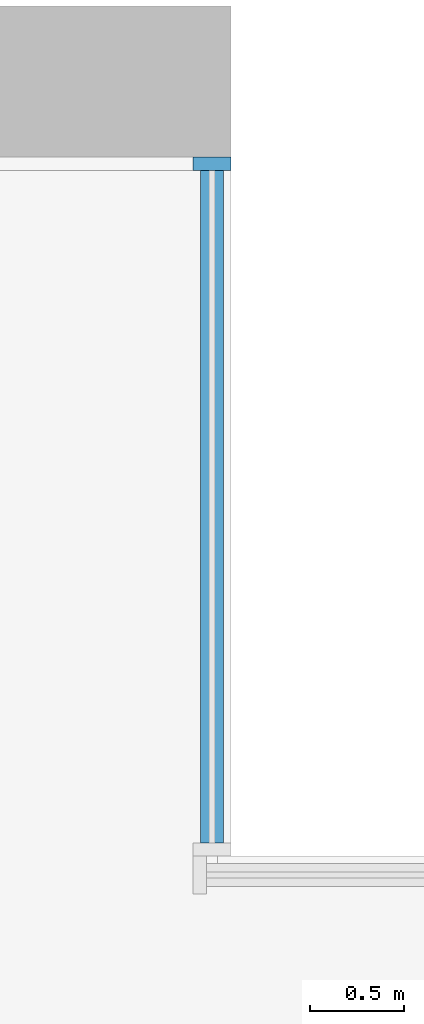
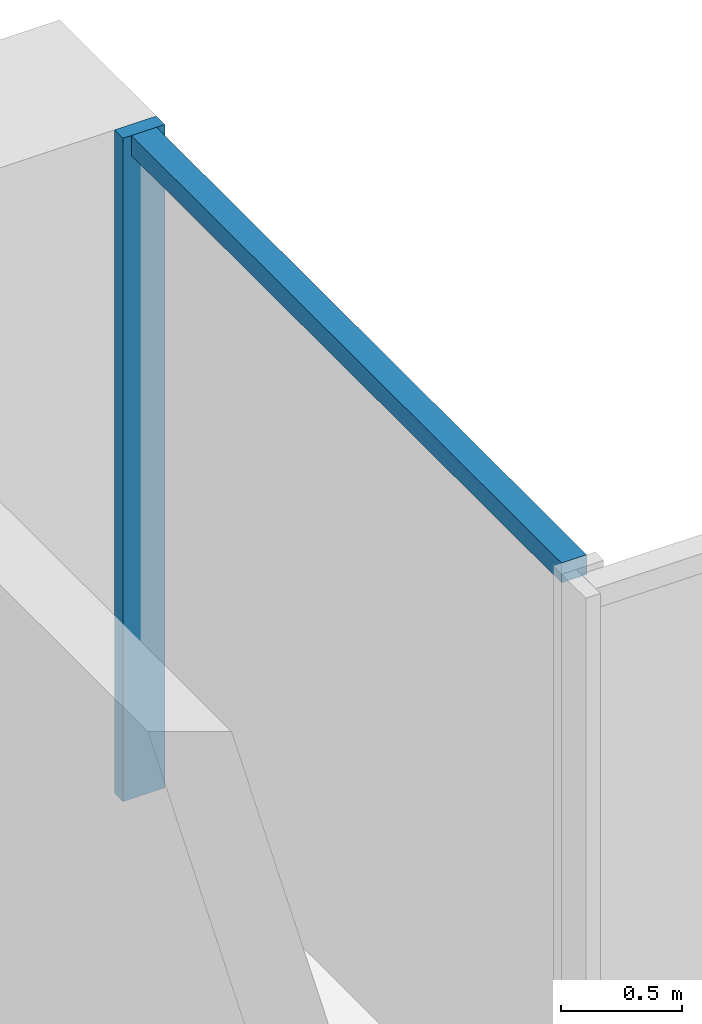
# One storey, part 6 of 16: 2 members, 1 element without a shape of its own.
"""IFC4 building model written with IfcOpenShell, lengths in metres."""

import ifcopenshell
import ifcopenshell.guid

model = None  # the IFC model being written
_history = None  # IfcOwnerHistory: only IFC2X3 demands one
_inside = {}  # id of a spatial element -> (the spatial element, [elements in it])
_under = {}  # id of a project, library or spatial element -> (it, [spatial elements below it])
_declared = {}  # id of a project -> (the project, [libraries it declares])
_typed = {}  # id of a type object -> (the type object, [elements of that type])
_made_of = {}  # id of a material, layer set ... -> (it, [elements and type objects made of it])


def new_model(schema):
    """Start an empty IFC model of exactly this schema.

    Asked for "IFC4X3", IfcOpenShell would pick the latest addendum, in which some entities
    have other attributes; the version numbers below select the first issue.
    IFC2X3 requires an IfcOwnerHistory on every rooted entity: one is made here for all.
    """
    global model, _history
    if schema == "IFC4X3":
        model = ifcopenshell.file(schema_version=(4, 3, 0, 0))
    else:
        model = ifcopenshell.file(schema=schema)
    _inside.clear()
    _under.clear()
    _declared.clear()
    _typed.clear()
    _made_of.clear()
    _history = None
    if model.schema == "IFC2X3":
        org = make("IfcOrganization", Name="unknown")
        user = make(
            "IfcPersonAndOrganization",
            ThePerson=make("IfcPerson", FamilyName="unknown"),
            TheOrganization=org,
        )
        app = make(
            "IfcApplication",
            ApplicationDeveloper=org,
            Version="unknown",
            ApplicationFullName="unknown",
            ApplicationIdentifier="unknown",
        )
        _history = make(
            "IfcOwnerHistory",
            OwningUser=user,
            OwningApplication=app,
            ChangeAction="ADDED",
            CreationDate=0,
        )
    return model


def make(cls, **values):
    """One entity of the class cls with the attributes given. An attribute that is None is left unset."""
    return model.create_entity(
        cls, **{name: value for name, value in values.items() if value is not None}
    )


def rooted(cls, **values):
    """An entity with a GlobalId (a new one), such as an element, a storey or a relation."""
    return make(cls, GlobalId=ifcopenshell.guid.new(), OwnerHistory=_history, **values)


def si_unit(unit_type, name, prefix=None):
    """IfcSIUnit, for example si_unit("LENGTHUNIT", "METRE", prefix="MILLI")."""
    return make("IfcSIUnit", UnitType=unit_type, Prefix=prefix, Name=name)


def assignment(units):
    """IfcUnitAssignment: the units of a project."""
    return None if units is None else make("IfcUnitAssignment", Units=units)


def point(xyz):
    """IfcCartesianPoint."""
    return None if xyz is None else make("IfcCartesianPoint", Coordinates=xyz)


def direction(xyz):
    """IfcDirection."""
    return None if xyz is None else make("IfcDirection", DirectionRatios=xyz)


def frame(location, z_axis=None, x_axis=None):
    """IfcAxis2Placement3D, a coordinate frame: its origin and axes. An axis left out is left unset."""
    return make(
        "IfcAxis2Placement3D",
        Location=point(location),
        Axis=direction(z_axis),
        RefDirection=direction(x_axis),
    )


def frame_2d(location, x_axis=None):
    """IfcAxis2Placement2D, a coordinate frame in the plane: its origin and x axis."""
    return make(
        "IfcAxis2Placement2D", Location=point(location), RefDirection=direction(x_axis)
    )


def origin():
    """The frame at (0, 0, 0) with its axes left unset."""
    return frame((0.0, 0.0, 0.0))


def origin_2d():
    """The frame at (0, 0) in the plane with its x axis left unset."""
    return frame_2d((0.0, 0.0))


def place(relative_to, where):
    """IfcLocalPlacement: puts the frame where relative to a parent placement (None: the world)."""
    return make(
        "IfcLocalPlacement", PlacementRelTo=relative_to, RelativePlacement=where
    )


def context(
    kind, dimensions, precision=None, world=None, true_north=None, identifier=None
):
    """IfcGeometricRepresentationContext, for example the 3D "Model" context."""
    return make(
        "IfcGeometricRepresentationContext",
        ContextIdentifier=identifier,
        ContextType=kind,
        CoordinateSpaceDimension=dimensions,
        Precision=precision,
        WorldCoordinateSystem=world,
        TrueNorth=true_north,
    )


def subcontext(parent, identifier, kind, view, scale=None):
    """IfcGeometricRepresentationSubContext, for example "Body" below "Model"."""
    return make(
        "IfcGeometricRepresentationSubContext",
        ContextIdentifier=identifier,
        ContextType=kind,
        ParentContext=parent,
        TargetScale=scale,
        TargetView=view,
    )


def project(units=None, contexts=None):
    """IfcProject with its units and contexts."""
    return rooted(
        "IfcProject",
        Name="project",
        RepresentationContexts=contexts,
        UnitsInContext=assignment(units),
    )


def spatial(cls, under=None, at=None, **own):
    """A site, building, storey or space (cls), placed at a placement, below another one or the project."""
    s = rooted(cls, ObjectPlacement=at, **own)
    if under is not None:
        _under.setdefault(under.id(), (under, []))[1].append(s)
    return s


def profile(cls, at=None, kind="AREA", **sizes):
    """A parametric profile (cls). Its sizes go by their IFC names, for example OverallWidth=200.0."""
    return make(cls, ProfileType=kind, Position=at, **sizes)


def rectangle(**sizes):
    """IfcRectangleProfileDef."""
    return profile("IfcRectangleProfileDef", **sizes)


def extrude(swept, where, along, depth):
    """IfcExtrudedAreaSolid: the profile swept, set in the frame where, extruded along a direction by depth."""
    return make(
        "IfcExtrudedAreaSolid",
        SweptArea=swept,
        Position=where,
        ExtrudedDirection=direction(along),
        Depth=depth,
    )


def shape(context_of_items, identifier, shape_type, items):
    """IfcShapeRepresentation: the items that make up one representation, for example the "Body"."""
    return make(
        "IfcShapeRepresentation",
        ContextOfItems=context_of_items,
        RepresentationIdentifier=identifier,
        RepresentationType=shape_type,
        Items=items,
    )


def material(Name=None, Category=None):
    """IfcMaterial."""
    return make("IfcMaterial", Name=Name, Category=Category)


def material_profile(
    of_material, cross_section, Name=None, Category=None, Priority=None
):
    """IfcMaterialProfile: a cross section and its material."""
    return make(
        "IfcMaterialProfile",
        Name=Name,
        Material=of_material,
        Profile=cross_section,
        Priority=Priority,
        Category=Category,
    )


def profile_set(profiles, Name=None, composite=None):
    """IfcMaterialProfileSet."""
    return make(
        "IfcMaterialProfileSet",
        Name=Name,
        MaterialProfiles=profiles,
        CompositeProfile=composite,
    )


def made_of(thing, what):
    """Note that an element or type object is made of a material, layer set ...; save() writes the relation."""
    if what is not None:
        _made_of.setdefault(what.id(), (what, []))[1].append(thing)
    return thing


def type_object(cls, material=None, **own):
    """A type object (cls), such as IfcWallType, which elements share."""
    return made_of(rooted(cls, **own), material)


def element(
    cls,
    number,
    at=None,
    inside=None,
    cuts=None,
    type_object=None,
    material=None,
    context=None,
    identifier="Body",
    shape_type=None,
    held_by="IfcProductDefinitionShape",
    body=None,
    shapes=None,
    **own,
):
    """One element of the class cls, such as IfcWall. Its Tag is "e" and its number.

    at: its placement. inside: the storey or other place that contains it. cuts: it is an
    opening in that element (IfcRelVoidsElement). A single representation is given by context,
    identifier, shape_type and body (its items); several are given by shapes. held_by: the class
    of the entity that holds the representations. save() writes the other relations.
    """
    e = rooted(cls, Tag="e%d" % number, ObjectPlacement=at, **own)
    if body is not None:
        shapes = [shape(context, identifier, shape_type, body)]
    if shapes is not None:
        e.Representation = make(held_by, Representations=shapes)
    if inside is not None:
        _inside.setdefault(inside.id(), (inside, []))[1].append(e)
    if cuts is not None:
        rooted(
            "IfcRelVoidsElement", RelatingBuildingElement=cuts, RelatedOpeningElement=e
        )
    if type_object is not None:
        _typed.setdefault(type_object.id(), (type_object, []))[1].append(e)
    return made_of(e, material)


def aggregate(whole, parts):
    """IfcRelAggregates: a whole, such as a stair, and the parts it consists of."""
    return rooted("IfcRelAggregates", RelatingObject=whole, RelatedObjects=parts)


def save(model, path):
    """Write the relations noted so far, then the file.

    IfcRelAggregates (storeys below a building ...), IfcRelContainedInSpatialStructure (elements
    in a storey), IfcRelDefinesByType, IfcRelAssociatesMaterial and IfcRelDeclares: one each for
    every whole, place, type object, material and project.
    """
    for whole, parts in _under.values():
        aggregate(whole, parts)
    for where, things in _inside.values():
        rooted(
            "IfcRelContainedInSpatialStructure",
            RelatedElements=things,
            RelatingStructure=where,
        )
    for kind, things in _typed.values():
        rooted("IfcRelDefinesByType", RelatedObjects=things, RelatingType=kind)
    for what, things in _made_of.values():
        rooted("IfcRelAssociatesMaterial", RelatedObjects=things, RelatingMaterial=what)
    for by, libraries in _declared.values():
        rooted("IfcRelDeclares", RelatingContext=by, RelatedDefinitions=libraries)
    model.write(path)


model = new_model("IFC4")

# Units and contexts
model_context = context("Model", 3, precision=1e-05, world=origin(), true_north=direction((0.0, 1.0)))
body_context = subcontext(model_context, "Body", "Model", "MODEL_VIEW")
ifc_project = project(units=[si_unit("LENGTHUNIT", "METRE"), si_unit("AREAUNIT", "SQUARE_METRE"), si_unit("VOLUMEUNIT", "CUBIC_METRE"), si_unit("PLANEANGLEUNIT", "RADIAN"), si_unit("MASSUNIT", "GRAM", prefix="KILO")], contexts=[model_context])

# Site, building, storey
site_placement = place(None, origin())
site = spatial("IfcSite", under=ifc_project, at=site_placement, CompositionType="ELEMENT")
building_placement = place(site_placement, origin())
building = spatial("IfcBuilding", under=site, at=building_placement, Name="Calvaro Tower", CompositionType="ELEMENT")
storey_placement = place(building_placement, frame((0.0, 0.0, 136.25)))
storey = spatial("IfcBuildingStorey", under=building, at=storey_placement, Name="L34", CompositionType="ELEMENT", Elevation=136.25)

# Curtain wall, members
ifc_material_1 = material(Name="Anodised aluminium", Category="aluminium")
curtain_wall_type = type_object("IfcCurtainWallType", Name="Office curtain wall, middle zone", PredefinedType="NOTDEFINED", material=ifc_material_1)
curtain_wall_placement = place(storey_placement, origin())
curtain_wall = element("IfcCurtainWall", 1, at=curtain_wall_placement, inside=storey, type_object=curtain_wall_type, Name="CW2 corner curtain wall", PredefinedType="NOTDEFINED")
ifc_material_2 = material(Name="Anodised aluminium", Category="aluminium")
ifc_material_profile_1 = material_profile(ifc_material_2, rectangle(XDim=0.199951171875, YDim=0.070068359375, at=origin_2d()), Name="Mullion S2 70 x 200")
ifc_profile_set_1 = profile_set([ifc_material_profile_1], Name="Anodised aluminium")
member_type_1 = type_object("IfcMemberType", Name="Mullion S2 70 x 200", PredefinedType="MULLION", material=ifc_profile_set_1)
member_1_placement = place(storey_placement, frame((66.35009765625, 45.1650390625, 0.0), z_axis=(0.0, 0.0, 1.0), x_axis=(-1.0, 0.0, 0.0)))
member_1 = element("IfcMember", 2, at=member_1_placement, type_object=member_type_1, Name="CW2 mullion 2", PredefinedType="MULLION", context=body_context, shape_type="SweptSolid", body=[
    extrude(rectangle(XDim=0.199951171875, YDim=0.070068359375, at=origin_2d()), origin(), (0.0, 0.0, 1.0), 3.35009765625),
])
ifc_material_3 = material(Name="Anodised aluminium", Category="aluminium")
ifc_material_profile_2 = material_profile(ifc_material_3, rectangle(XDim=0.1201171875, YDim=0.10009765625, at=origin_2d()), Name="Transom S2 100 x 120")
ifc_profile_set_2 = profile_set([ifc_material_profile_2], Name="Anodised aluminium")
member_type_2 = type_object("IfcMemberType", Name="Transom S2 100 x 120", PredefinedType="USERDEFINED", material=ifc_profile_set_2)
member_2_placement = place(storey_placement, frame((66.35009765625, 41.570068359375, 3.300048828125), z_axis=(0.0, 1.0, 0.0), x_axis=(-1.0, 0.0, 0.0)))
member_2 = element("IfcMember", 3, at=member_2_placement, type_object=member_type_2, Name="CW2 transom 1.1", ObjectType="TRANSOM", PredefinedType="USERDEFINED", context=body_context, shape_type="SweptSolid", body=[
    extrude(rectangle(XDim=0.1201171875, YDim=0.10009765625, at=origin_2d()), origin(), (0.0, 0.0, 1.0), 3.559814453125),
])
aggregate(curtain_wall, [member_1, member_2])

save(model, "model.ifc")
